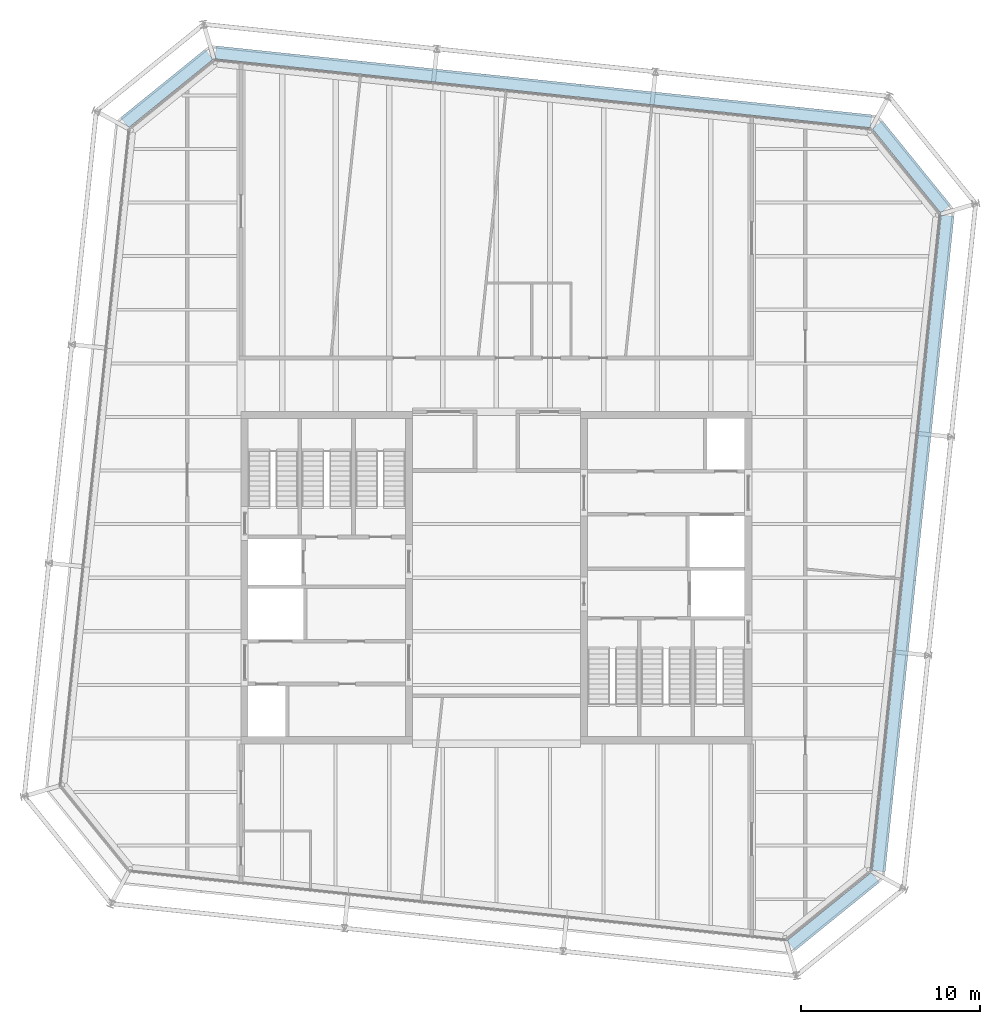
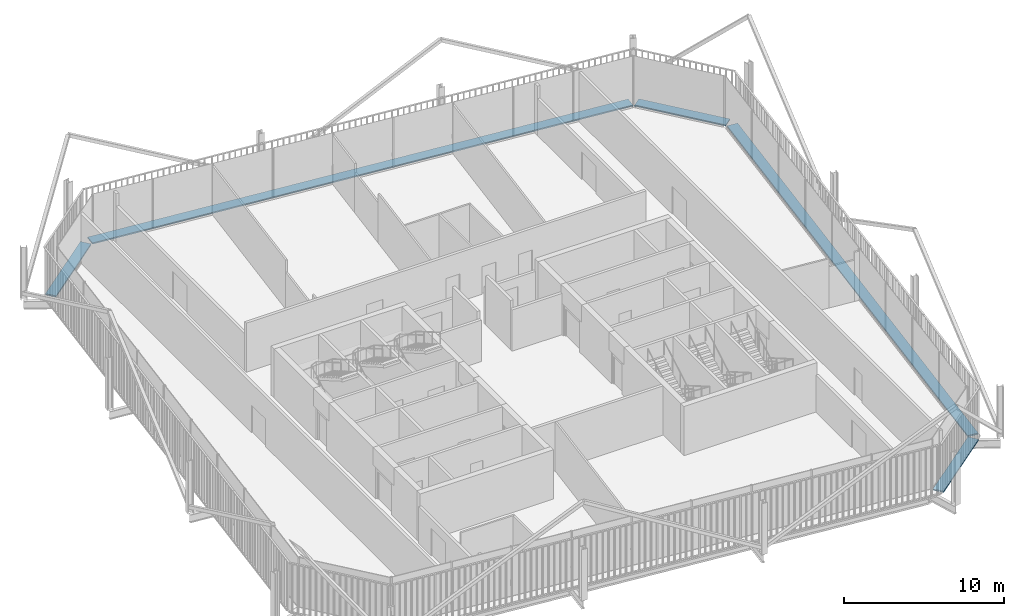
# One storey, part 20 of 21: 5 discrete accessories.
"""IFC4 building model written with IfcOpenShell, lengths in metres."""

import ifcopenshell
import ifcopenshell.guid

model = None  # the IFC model being written
_history = None  # IfcOwnerHistory: only IFC2X3 demands one
_inside = {}  # id of a spatial element -> (the spatial element, [elements in it])
_under = {}  # id of a project, library or spatial element -> (it, [spatial elements below it])
_declared = {}  # id of a project -> (the project, [libraries it declares])
_typed = {}  # id of a type object -> (the type object, [elements of that type])
_made_of = {}  # id of a material, layer set ... -> (it, [elements and type objects made of it])


def new_model(schema):
    """Start an empty IFC model of exactly this schema.

    Asked for "IFC4X3", IfcOpenShell would pick the latest addendum, in which some entities
    have other attributes; the version numbers below select the first issue.
    IFC2X3 requires an IfcOwnerHistory on every rooted entity: one is made here for all.
    """
    global model, _history
    if schema == "IFC4X3":
        model = ifcopenshell.file(schema_version=(4, 3, 0, 0))
    else:
        model = ifcopenshell.file(schema=schema)
    _inside.clear()
    _under.clear()
    _declared.clear()
    _typed.clear()
    _made_of.clear()
    _history = None
    if model.schema == "IFC2X3":
        org = make("IfcOrganization", Name="unknown")
        user = make(
            "IfcPersonAndOrganization",
            ThePerson=make("IfcPerson", FamilyName="unknown"),
            TheOrganization=org,
        )
        app = make(
            "IfcApplication",
            ApplicationDeveloper=org,
            Version="unknown",
            ApplicationFullName="unknown",
            ApplicationIdentifier="unknown",
        )
        _history = make(
            "IfcOwnerHistory",
            OwningUser=user,
            OwningApplication=app,
            ChangeAction="ADDED",
            CreationDate=0,
        )
    return model


def make(cls, **values):
    """One entity of the class cls with the attributes given. An attribute that is None is left unset."""
    return model.create_entity(
        cls, **{name: value for name, value in values.items() if value is not None}
    )


def rooted(cls, **values):
    """An entity with a GlobalId (a new one), such as an element, a storey or a relation."""
    return make(cls, GlobalId=ifcopenshell.guid.new(), OwnerHistory=_history, **values)


def si_unit(unit_type, name, prefix=None):
    """IfcSIUnit, for example si_unit("LENGTHUNIT", "METRE", prefix="MILLI")."""
    return make("IfcSIUnit", UnitType=unit_type, Prefix=prefix, Name=name)


def assignment(units):
    """IfcUnitAssignment: the units of a project."""
    return None if units is None else make("IfcUnitAssignment", Units=units)


def point(xyz):
    """IfcCartesianPoint."""
    return None if xyz is None else make("IfcCartesianPoint", Coordinates=xyz)


def direction(xyz):
    """IfcDirection."""
    return None if xyz is None else make("IfcDirection", DirectionRatios=xyz)


def frame(location, z_axis=None, x_axis=None):
    """IfcAxis2Placement3D, a coordinate frame: its origin and axes. An axis left out is left unset."""
    return make(
        "IfcAxis2Placement3D",
        Location=point(location),
        Axis=direction(z_axis),
        RefDirection=direction(x_axis),
    )


def frame_2d(location, x_axis=None):
    """IfcAxis2Placement2D, a coordinate frame in the plane: its origin and x axis."""
    return make(
        "IfcAxis2Placement2D", Location=point(location), RefDirection=direction(x_axis)
    )


def origin():
    """The frame at (0, 0, 0) with its axes left unset."""
    return frame((0.0, 0.0, 0.0))


def origin_2d():
    """The frame at (0, 0) in the plane with its x axis left unset."""
    return frame_2d((0.0, 0.0))


def place(relative_to, where):
    """IfcLocalPlacement: puts the frame where relative to a parent placement (None: the world)."""
    return make(
        "IfcLocalPlacement", PlacementRelTo=relative_to, RelativePlacement=where
    )


def context(
    kind, dimensions, precision=None, world=None, true_north=None, identifier=None
):
    """IfcGeometricRepresentationContext, for example the 3D "Model" context."""
    return make(
        "IfcGeometricRepresentationContext",
        ContextIdentifier=identifier,
        ContextType=kind,
        CoordinateSpaceDimension=dimensions,
        Precision=precision,
        WorldCoordinateSystem=world,
        TrueNorth=true_north,
    )


def subcontext(parent, identifier, kind, view, scale=None):
    """IfcGeometricRepresentationSubContext, for example "Body" below "Model"."""
    return make(
        "IfcGeometricRepresentationSubContext",
        ContextIdentifier=identifier,
        ContextType=kind,
        ParentContext=parent,
        TargetScale=scale,
        TargetView=view,
    )


def project(units=None, contexts=None):
    """IfcProject with its units and contexts."""
    return rooted(
        "IfcProject",
        Name="project",
        RepresentationContexts=contexts,
        UnitsInContext=assignment(units),
    )


def spatial(cls, under=None, at=None, **own):
    """A site, building, storey or space (cls), placed at a placement, below another one or the project."""
    s = rooted(cls, ObjectPlacement=at, **own)
    if under is not None:
        _under.setdefault(under.id(), (under, []))[1].append(s)
    return s


def profile(cls, at=None, kind="AREA", **sizes):
    """A parametric profile (cls). Its sizes go by their IFC names, for example OverallWidth=200.0."""
    return make(cls, ProfileType=kind, Position=at, **sizes)


def rectangle(**sizes):
    """IfcRectangleProfileDef."""
    return profile("IfcRectangleProfileDef", **sizes)


def extrude(swept, where, along, depth):
    """IfcExtrudedAreaSolid: the profile swept, set in the frame where, extruded along a direction by depth."""
    return make(
        "IfcExtrudedAreaSolid",
        SweptArea=swept,
        Position=where,
        ExtrudedDirection=direction(along),
        Depth=depth,
    )


def shape(context_of_items, identifier, shape_type, items):
    """IfcShapeRepresentation: the items that make up one representation, for example the "Body"."""
    return make(
        "IfcShapeRepresentation",
        ContextOfItems=context_of_items,
        RepresentationIdentifier=identifier,
        RepresentationType=shape_type,
        Items=items,
    )


def material(Name=None, Category=None):
    """IfcMaterial."""
    return make("IfcMaterial", Name=Name, Category=Category)


def made_of(thing, what):
    """Note that an element or type object is made of a material, layer set ...; save() writes the relation."""
    if what is not None:
        _made_of.setdefault(what.id(), (what, []))[1].append(thing)
    return thing


def type_object(cls, material=None, **own):
    """A type object (cls), such as IfcWallType, which elements share."""
    return made_of(rooted(cls, **own), material)


def element(
    cls,
    number,
    at=None,
    inside=None,
    cuts=None,
    type_object=None,
    material=None,
    context=None,
    identifier="Body",
    shape_type=None,
    held_by="IfcProductDefinitionShape",
    body=None,
    shapes=None,
    **own,
):
    """One element of the class cls, such as IfcWall. Its Tag is "e" and its number.

    at: its placement. inside: the storey or other place that contains it. cuts: it is an
    opening in that element (IfcRelVoidsElement). A single representation is given by context,
    identifier, shape_type and body (its items); several are given by shapes. held_by: the class
    of the entity that holds the representations. save() writes the other relations.
    """
    e = rooted(cls, Tag="e%d" % number, ObjectPlacement=at, **own)
    if body is not None:
        shapes = [shape(context, identifier, shape_type, body)]
    if shapes is not None:
        e.Representation = make(held_by, Representations=shapes)
    if inside is not None:
        _inside.setdefault(inside.id(), (inside, []))[1].append(e)
    if cuts is not None:
        rooted(
            "IfcRelVoidsElement", RelatingBuildingElement=cuts, RelatedOpeningElement=e
        )
    if type_object is not None:
        _typed.setdefault(type_object.id(), (type_object, []))[1].append(e)
    return made_of(e, material)


def aggregate(whole, parts):
    """IfcRelAggregates: a whole, such as a stair, and the parts it consists of."""
    return rooted("IfcRelAggregates", RelatingObject=whole, RelatedObjects=parts)


def save(model, path):
    """Write the relations noted so far, then the file.

    IfcRelAggregates (storeys below a building ...), IfcRelContainedInSpatialStructure (elements
    in a storey), IfcRelDefinesByType, IfcRelAssociatesMaterial and IfcRelDeclares: one each for
    every whole, place, type object, material and project.
    """
    for whole, parts in _under.values():
        aggregate(whole, parts)
    for where, things in _inside.values():
        rooted(
            "IfcRelContainedInSpatialStructure",
            RelatedElements=things,
            RelatingStructure=where,
        )
    for kind, things in _typed.values():
        rooted("IfcRelDefinesByType", RelatedObjects=things, RelatingType=kind)
    for what, things in _made_of.values():
        rooted("IfcRelAssociatesMaterial", RelatedObjects=things, RelatingMaterial=what)
    for by, libraries in _declared.values():
        rooted("IfcRelDeclares", RelatingContext=by, RelatedDefinitions=libraries)
    model.write(path)


model = new_model("IFC4")

# Units and contexts
model_context = context("Model", 3, precision=1e-05, world=origin(), true_north=direction((0.0, 1.0)))
body_context = subcontext(model_context, "Body", "Model", "MODEL_VIEW")
ifc_project = project(units=[si_unit("LENGTHUNIT", "METRE"), si_unit("AREAUNIT", "SQUARE_METRE"), si_unit("VOLUMEUNIT", "CUBIC_METRE"), si_unit("PLANEANGLEUNIT", "RADIAN"), si_unit("MASSUNIT", "GRAM", prefix="KILO")], contexts=[model_context])

# Site, building, storey
site_placement = place(None, origin())
site = spatial("IfcSite", under=ifc_project, at=site_placement, CompositionType="ELEMENT")
building_placement = place(site_placement, origin())
building = spatial("IfcBuilding", under=site, at=building_placement, Name="Millrace Tower", CompositionType="ELEMENT")
storey_placement = place(building_placement, frame((0.0, 0.0, 283.800048828125)))
storey = spatial("IfcBuildingStorey", under=building, at=storey_placement, Name="L65", CompositionType="ELEMENT", Elevation=283.800048828125)

# Discrete accessories
ifc_material = material(Name="Stainless steel ASTM A240 type 316", Category="steel")
discrete_accessory_type = type_object("IfcDiscreteAccessoryType", Name="Thermally broken screen support rail", PredefinedType="BRACKET", material=ifc_material)
discrete_accessory_1_placement = place(storey_placement, frame((18.854736328125, -18.686767578125, 0.0), z_axis=(0.0, 0.0, 1.0), x_axis=(0.777146052237, 0.629320278945, 0.0)))
element("IfcDiscreteAccessory", 1, at=discrete_accessory_1_placement, inside=storey, type_object=discrete_accessory_type, Name="Thermally broken screen support rail E-F03 L65 1", PredefinedType="BRACKET", context=body_context, shape_type="SweptSolid", body=[
    extrude(rectangle(XDim=6.0810546875, YDim=0.719970703125, at=origin_2d()), origin(), (0.0, 0.0, 1.0), 0.10009765625),
])
discrete_accessory_2_placement = place(storey_placement, frame((23.33251953125, 1.918701171875, 0.0), z_axis=(0.0, 0.0, 1.0), x_axis=(0.104528455196, 0.994521896217, 0.0)))
element("IfcDiscreteAccessory", 2, at=discrete_accessory_2_placement, inside=storey, type_object=discrete_accessory_type, Name="Thermally broken screen support rail E-F04 L65 1", PredefinedType="BRACKET", context=body_context, shape_type="SweptSolid", body=[
    extrude(rectangle(XDim=36.89990234375, YDim=0.719970703125, at=origin_2d()), origin(), (0.0, 0.0, 1.0), 0.10009765625),
])
discrete_accessory_3_placement = place(storey_placement, frame((23.23681640625, 23.0048828125, 0.0), z_axis=(0.0, 0.0, 1.0), x_axis=(-0.629320278945, 0.777146052237, 0.0)))
element("IfcDiscreteAccessory", 3, at=discrete_accessory_3_placement, inside=storey, type_object=discrete_accessory_type, Name="Thermally broken screen support rail E-F05 L65 1", PredefinedType="BRACKET", context=body_context, shape_type="SweptSolid", body=[
    extrude(rectangle(XDim=6.0810546875, YDim=0.719970703125, at=origin_2d()), origin(), (0.0, 0.0, 1.0), 0.10009765625),
])
discrete_accessory_4_placement = place(storey_placement, frame((2.63134765625, 27.482666015625, 0.0), z_axis=(0.0, 0.0, 1.0), x_axis=(-0.994521896217, 0.104528455196, 0.0)))
element("IfcDiscreteAccessory", 4, at=discrete_accessory_4_placement, inside=storey, type_object=discrete_accessory_type, Name="Thermally broken screen support rail E-F06 L65 1", PredefinedType="BRACKET", context=body_context, shape_type="SweptSolid", body=[
    extrude(rectangle(XDim=36.89990234375, YDim=0.719970703125, at=origin_2d()), origin(), (0.0, 0.0, 1.0), 0.10009765625),
])
discrete_accessory_5_placement = place(storey_placement, frame((-18.454833984375, 27.38671875, 0.0), z_axis=(0.0, 0.0, 1.0), x_axis=(-0.777146052237, -0.629320278945, 0.0)))
element("IfcDiscreteAccessory", 5, at=discrete_accessory_5_placement, inside=storey, type_object=discrete_accessory_type, Name="Thermally broken screen support rail E-F07 L65 1", PredefinedType="BRACKET", context=body_context, shape_type="SweptSolid", body=[
    extrude(rectangle(XDim=6.0810546875, YDim=0.719970703125, at=origin_2d()), origin(), (0.0, 0.0, 1.0), 0.10009765625),
])

save(model, "model.ifc")
